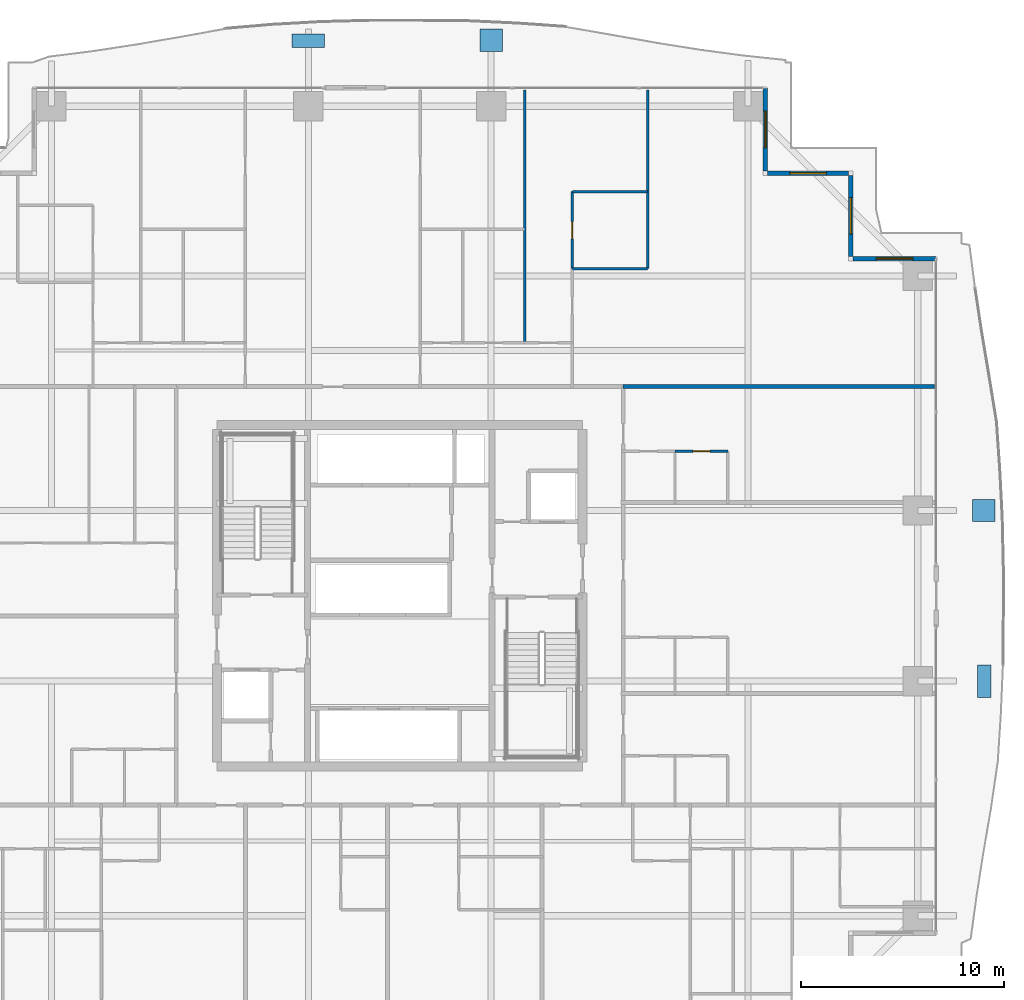
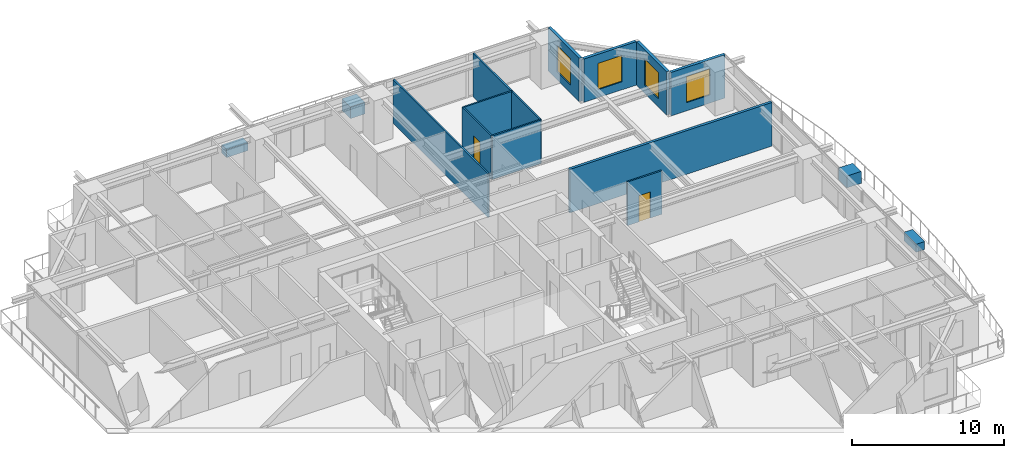
# One storey, part 32 of 38: 11 walls, 4 discrete accessories, 4 windows, 2 doors, 6 openings.
"""IFC4 building model written with IfcOpenShell, lengths in metres."""

from ifc_helpers import new_model, si_unit, direction, frame, frame_2d, origin, origin_2d, place, context, subcontext, project, spatial, rectangle, extrude, source, transform, mapped, material, layer, layer_set, type_object, element, fill, save


model = new_model("IFC4")

# Units and contexts
model_context = context("Model", 3, precision=1e-05, world=origin(), true_north=direction((0.0, 1.0)))
body_context = subcontext(model_context, "Body", "Model", "MODEL_VIEW")
ifc_project = project(units=[si_unit("LENGTHUNIT", "METRE"), si_unit("AREAUNIT", "SQUARE_METRE"), si_unit("VOLUMEUNIT", "CUBIC_METRE"), si_unit("PLANEANGLEUNIT", "RADIAN"), si_unit("MASSUNIT", "GRAM", prefix="KILO")], contexts=[model_context])

# Site, building, storey
site_placement = place(None, origin())
site = spatial("IfcSite", under=ifc_project, at=site_placement, CompositionType="ELEMENT")
building_placement = place(site_placement, origin())
building = spatial("IfcBuilding", under=site, at=building_placement, Name="Serunith Strait Residences", CompositionType="ELEMENT")
storey_placement = place(building_placement, frame((0.0, 0.0, 67.949951171875)))
storey = spatial("IfcBuildingStorey", under=building, at=storey_placement, Name="L16", CompositionType="ELEMENT", Elevation=67.949951171875)

# Wall, opening, window
ifc_material_1 = material(Name="Pale-Champagne Aluminium Insulated Panel", Category="aluminium")
ifc_layer_1 = layer(ifc_material_1, 0.219970703125, Name="Pale-Champagne Aluminium Insulated Panel")
ifc_layer_set_1 = layer_set([ifc_layer_1], Name="Pale-Champagne Aluminium Insulated Panel")
wall_type_1 = type_object("IfcWallType", Name="EW-ALUM-220", PredefinedType="ELEMENTEDWALL", material=ifc_layer_set_1)
wall_1_placement = place(storey_placement, frame((58.800048828125, 41.800048828125, 0.0), z_axis=(0.0, 0.0, 1.0), x_axis=(-1.0, 0.0, 0.0)))
wall_1 = element("IfcWall", 1, at=wall_1_placement, inside=storey, type_object=wall_type_1, Name="L16 Girih Serrated Corner Wall 07", PredefinedType="ELEMENTEDWALL", context=body_context, shape_type="SweptSolid", body=[
    extrude(rectangle(XDim=4.090087890625, YDim=0.219970703125, at=frame_2d((2.044921875, 0.0))), origin(), (0.0, 0.0, 1.0), 3.47509765625),
])
opening_1_placement = place(wall_1_placement, frame((1.14501953125, 0.0, 0.64990234375)))
opening_1 = element("IfcOpeningElement", 2, at=opening_1_placement, cuts=wall_1, Name="Opening W-01", PredefinedType="OPENING", context=body_context, shape_type="SweptSolid", body=[
    extrude(rectangle(XDim=1.800048828125, YDim=2.10009765625, at=frame_2d((0.89990234375, 1.050048828125))), frame((0.0, 0.1201171875, 0.0), z_axis=(0.0, -1.0, 0.0), x_axis=(1.0, 0.0, 0.0)), (0.0, 0.0, 1.0), 0.239990234375),
])
ifc_material_2 = material(Name="Ceramic-Fritted Operable Aluminium Window Glass", Category="aluminium")
window_type = type_object("IfcWindowType", Name="WIN-C1", PartitioningType="DOUBLE_PANEL_VERTICAL", PredefinedType="WINDOW", material=ifc_material_2)
shared_shape_1 = source(origin(), body_context, "Body", "SweptSolid", [
    extrude(rectangle(XDim=1.800048828125, YDim=2.10009765625, at=frame_2d((0.89990234375, 1.050048828125))), frame((0.0, 0.030029296875, 0.0), z_axis=(0.0, -1.0, 0.0), x_axis=(1.0, 0.0, 0.0)), (0.0, 0.0, 1.0), 0.06005859375),
])
window_1_placement = place(opening_1_placement, origin())
window_1 = element("IfcWindow", 3, at=window_1_placement, inside=storey, type_object=window_type, Name="L16 Corner Operable Fritted Window 07", OverallHeight=2.10009765625, OverallWidth=1.800048828125, PartitioningType="SINGLE_PANEL", PredefinedType="WINDOW", context=body_context, shape_type="MappedRepresentation", body=[
    mapped(shared_shape_1, transform((0.0, 0.0, 0.0), scale=1.0)),
])
fill(opening_1, window_1)

wall_2_placement = place(storey_placement, frame((54.60009765625, 41.909912109375, 0.0), z_axis=(0.0, 0.0, 1.0), x_axis=(0.0, 1.0, 0.0)))
wall_2 = element("IfcWall", 4, at=wall_2_placement, inside=storey, type_object=wall_type_1, Name="L16 Girih Serrated Corner Wall 08", PredefinedType="ELEMENTEDWALL", context=body_context, shape_type="SweptSolid", body=[
    extrude(rectangle(XDim=3.97998046875, YDim=0.219970703125, at=frame_2d((1.989990234375, 0.0))), origin(), (0.0, 0.0, 1.0), 3.47509765625),
])
opening_2_placement = place(wall_2_placement, frame((1.090087890625, 0.0, 0.64990234375)))
opening_2 = element("IfcOpeningElement", 5, at=opening_2_placement, cuts=wall_2, Name="Opening W-01", PredefinedType="OPENING", context=body_context, shape_type="SweptSolid", body=[
    extrude(rectangle(XDim=1.800048828125, YDim=2.10009765625, at=frame_2d((0.89990234375, 1.050048828125))), frame((0.0, 0.1201171875, 0.0), z_axis=(0.0, -1.0, 0.0), x_axis=(1.0, 0.0, 0.0)), (0.0, 0.0, 1.0), 0.239990234375),
])
window_2_placement = place(opening_2_placement, origin())
window_2 = element("IfcWindow", 6, at=window_2_placement, inside=storey, type_object=window_type, Name="L16 Corner Operable Fritted Window 08", OverallHeight=2.10009765625, OverallWidth=1.800048828125, PartitioningType="SINGLE_PANEL", PredefinedType="WINDOW", context=body_context, shape_type="MappedRepresentation", body=[
    mapped(shared_shape_1, transform((0.0, 0.0, 0.0), scale=1.0)),
])
fill(opening_2, window_2)

wall_3_placement = place(storey_placement, frame((54.489990234375, 46.0, 0.0), z_axis=(0.0, 0.0, 1.0), x_axis=(-1.0, 0.0, 0.0)))
wall_3 = element("IfcWall", 7, at=wall_3_placement, inside=storey, type_object=wall_type_1, Name="L16 Girih Serrated Corner Wall 09", PredefinedType="ELEMENTEDWALL", context=body_context, shape_type="SweptSolid", body=[
    extrude(rectangle(XDim=3.97998046875, YDim=0.219970703125, at=frame_2d((1.989990234375, 0.0))), origin(), (0.0, 0.0, 1.0), 3.47509765625),
])
opening_3_placement = place(wall_3_placement, frame((1.090087890625, 0.0, 0.64990234375)))
opening_3 = element("IfcOpeningElement", 8, at=opening_3_placement, cuts=wall_3, Name="Opening W-01", PredefinedType="OPENING", context=body_context, shape_type="SweptSolid", body=[
    extrude(rectangle(XDim=1.800048828125, YDim=2.10009765625, at=frame_2d((0.89990234375, 1.050048828125))), frame((0.0, 0.1201171875, 0.0), z_axis=(0.0, -1.0, 0.0), x_axis=(1.0, 0.0, 0.0)), (0.0, 0.0, 1.0), 0.239990234375),
])
window_3_placement = place(opening_3_placement, origin())
window_3 = element("IfcWindow", 9, at=window_3_placement, inside=storey, type_object=window_type, Name="L16 Corner Operable Fritted Window 09", OverallHeight=2.10009765625, OverallWidth=1.800048828125, PartitioningType="SINGLE_PANEL", PredefinedType="WINDOW", context=body_context, shape_type="MappedRepresentation", body=[
    mapped(shared_shape_1, transform((0.0, 0.0, 0.0), scale=1.0)),
])
fill(opening_3, window_3)

wall_4_placement = place(storey_placement, frame((50.39990234375, 46.110107421875, 0.0), z_axis=(0.0, 0.0, 1.0), x_axis=(0.0, 1.0, 0.0)))
wall_4 = element("IfcWall", 10, at=wall_4_placement, inside=storey, type_object=wall_type_1, Name="L16 Girih Serrated Corner Wall 10", PredefinedType="ELEMENTEDWALL", context=body_context, shape_type="SweptSolid", body=[
    extrude(rectangle(XDim=4.08984375, YDim=0.219970703125, at=frame_2d((2.044921875, 0.0))), origin(), (0.0, 0.0, 1.0), 3.47509765625),
])
opening_4_placement = place(wall_4_placement, frame((1.14501953125, 0.0, 0.64990234375)))
opening_4 = element("IfcOpeningElement", 11, at=opening_4_placement, cuts=wall_4, Name="Opening W-01", PredefinedType="OPENING", context=body_context, shape_type="SweptSolid", body=[
    extrude(rectangle(XDim=1.800048828125, YDim=2.10009765625, at=frame_2d((0.89990234375, 1.050048828125))), frame((0.0, 0.1201171875, 0.0), z_axis=(0.0, -1.0, 0.0), x_axis=(1.0, 0.0, 0.0)), (0.0, 0.0, 1.0), 0.239990234375),
])
window_4_placement = place(opening_4_placement, origin())
window_4 = element("IfcWindow", 12, at=window_4_placement, inside=storey, type_object=window_type, Name="L16 Corner Operable Fritted Window 10", OverallHeight=2.10009765625, OverallWidth=1.800048828125, PartitioningType="SINGLE_PANEL", PredefinedType="WINDOW", context=body_context, shape_type="MappedRepresentation", body=[
    mapped(shared_shape_1, transform((0.0, 0.0, 0.0), scale=1.0)),
])
fill(opening_4, window_4)

# Walls
ifc_material_3 = material(Name="Lightweight steel-stud gypsum partition", Category="steel")
ifc_layer_2 = layer(ifc_material_3, 0.1201171875, Name="Lightweight steel-stud gypsum partition")
ifc_layer_set_2 = layer_set([ifc_layer_2], Name="Lightweight steel-stud gypsum partition")
wall_type_2 = type_object("IfcWallType", Name="IW-PART-120", PredefinedType="PARTITIONING", material=ifc_layer_set_2)
wall_5_placement = place(storey_placement, frame((38.550048828125, 50.10498046875, 0.0), z_axis=(0.0, 0.0, 1.0), x_axis=(0.0, -1.0, 0.0)))
element("IfcWall", 13, at=wall_5_placement, inside=storey, type_object=wall_type_2, Name="L16 Partition Wall 085", PredefinedType="PARTITIONING", context=body_context, shape_type="SweptSolid", body=[
    extrude(rectangle(XDim=12.455078125, YDim=0.1201171875, at=frame_2d((6.2275390625, 0.0))), origin(), (0.0, 0.0, 1.0), 3.489990234375),
])
wall_6_placement = place(storey_placement, frame((40.89990234375, 45.091064453125, 0.0), z_axis=(0.0, 0.0, 1.0), x_axis=(1.0, 0.0, 0.0)))
element("IfcWall", 14, at=wall_6_placement, inside=storey, type_object=wall_type_2, Name="L16 Partition Wall 090", PredefinedType="PARTITIONING", context=body_context, shape_type="SweptSolid", body=[
    extrude(rectangle(XDim=3.7001953125, YDim=0.1201171875, at=frame_2d((1.85009765625, 0.0))), origin(), (0.0, 0.0, 1.0), 3.489990234375),
])
wall_7_placement = place(storey_placement, frame((44.60009765625, 50.10498046875, 0.0), z_axis=(0.0, 0.0, 1.0), x_axis=(0.0, -1.0, 0.0)))
element("IfcWall", 15, at=wall_7_placement, inside=storey, type_object=wall_type_2, Name="L16 Partition Wall 091", PredefinedType="PARTITIONING", context=body_context, shape_type="SweptSolid", body=[
    extrude(rectangle(XDim=8.798095703125, YDim=0.1201171875, at=frame_2d((4.39892578125, 0.0))), origin(), (0.0, 0.0, 1.0), 3.489990234375),
])
wall_8_placement = place(storey_placement, frame((40.89990234375, 41.306884765625, 0.0), z_axis=(0.0, 0.0, 1.0), x_axis=(1.0, 0.0, 0.0)))
element("IfcWall", 16, at=wall_8_placement, inside=storey, type_object=wall_type_2, Name="L16 Partition Wall 092", PredefinedType="PARTITIONING", context=body_context, shape_type="SweptSolid", body=[
    extrude(rectangle(XDim=3.7001953125, YDim=0.1201171875, at=frame_2d((1.85009765625, 0.0))), origin(), (0.0, 0.0, 1.0), 3.489990234375),
])

# Wall, opening, door
wall_9_placement = place(storey_placement, frame((40.89990234375, 45.091064453125, 0.0), z_axis=(0.0, 0.0, 1.0), x_axis=(0.0, -1.0, 0.0)))
wall_9 = element("IfcWall", 17, at=wall_9_placement, inside=storey, type_object=wall_type_2, Name="L16 Partition Wall 093", PredefinedType="PARTITIONING", context=body_context, shape_type="SweptSolid", body=[
    extrude(rectangle(XDim=3.7841796875, YDim=0.1201171875, at=frame_2d((1.89208984375, 0.0))), origin(), (0.0, 0.0, 1.0), 3.489990234375),
])
opening_5_placement = place(wall_9_placement, frame((1.467041015625, 0.0, 0.0)))
opening_5 = element("IfcOpeningElement", 18, at=opening_5_placement, cuts=wall_9, Name="Opening D-BTH850", PredefinedType="OPENING", context=body_context, shape_type="SweptSolid", body=[
    extrude(rectangle(XDim=0.85009765625, YDim=2.10009765625, at=frame_2d((0.425048828125, 1.050048828125))), frame((0.0, 0.070068359375, 0.0), z_axis=(0.0, -1.0, 0.0), x_axis=(1.0, 0.0, 0.0)), (0.0, 0.0, 1.0), 0.14013671875),
])
ifc_material_4 = material(Name="Moisture-resistant timber bathroom door", Category="wood")
door_type_1 = type_object("IfcDoorType", Name="ID-BATH-850", OperationType="NOTDEFINED", PredefinedType="DOOR", material=ifc_material_4)
shared_shape_2 = source(origin(), body_context, "Body", "SweptSolid", [
    extrude(rectangle(XDim=0.85009765625, YDim=2.10009765625, at=frame_2d((0.425048828125, 1.050048828125))), frame((0.0, 0.02490234375, 0.0), z_axis=(0.0, -1.0, 0.0), x_axis=(1.0, 0.0, 0.0)), (0.0, 0.0, 1.0), 0.050048828125),
])
door_1_placement = place(opening_5_placement, origin())
door_1 = element("IfcDoor", 19, at=door_1_placement, inside=storey, type_object=door_type_1, Name="L16 En-suite Bathroom E 1605 Door", OperationType="SINGLE_SWING_RIGHT", OverallHeight=2.10009765625, OverallWidth=0.85009765625, PredefinedType="DOOR", context=body_context, shape_type="MappedRepresentation", body=[
    mapped(shared_shape_2, transform((0.0, 0.0, 0.0), scale=1.0)),
])
fill(opening_5, door_1)

wall_10_placement = place(storey_placement, frame((48.550048828125, 32.31005859375, 0.0), z_axis=(0.0, 0.0, 1.0), x_axis=(-1.0, 0.0, 0.0)))
wall_10 = element("IfcWall", 20, at=wall_10_placement, inside=storey, type_object=wall_type_2, Name="L16 Partition Wall 115", PredefinedType="PARTITIONING", context=body_context, shape_type="SweptSolid", body=[
    extrude(rectangle(XDim=2.60009765625, YDim=0.1201171875, at=frame_2d((1.300048828125, 0.0))), origin(), (0.0, 0.0, 1.0), 3.489990234375),
])
opening_6_placement = place(wall_10_placement, frame((0.875, 0.0, 0.0)))
opening_6 = element("IfcOpeningElement", 21, at=opening_6_placement, cuts=wall_10, Name="Opening D-RM850", PredefinedType="OPENING", context=body_context, shape_type="SweptSolid", body=[
    extrude(rectangle(XDim=0.85009765625, YDim=2.10009765625, at=frame_2d((0.425048828125, 1.050048828125))), frame((0.0, 0.070068359375, 0.0), z_axis=(0.0, -1.0, 0.0), x_axis=(1.0, 0.0, 0.0)), (0.0, 0.0, 1.0), 0.14013671875),
])
ifc_material_5 = material(Name="Engineered timber flush study and kitchen door", Category="wood")
door_type_2 = type_object("IfcDoorType", Name="ID-ROOM-850", OperationType="NOTDEFINED", PredefinedType="DOOR", material=ifc_material_5)
door_2_placement = place(opening_6_placement, origin())
door_2 = element("IfcDoor", 22, at=door_2_placement, inside=storey, type_object=door_type_2, Name="L16 Kitchen 1610 Door", OperationType="SINGLE_SWING_RIGHT", OverallHeight=2.10009765625, OverallWidth=0.85009765625, PredefinedType="DOOR", context=body_context, shape_type="MappedRepresentation", body=[
    mapped(shared_shape_2, transform((0.0, 0.0, 0.0), scale=1.0)),
])
fill(opening_6, door_2)

# Wall
ifc_material_6 = material(Name="Twin-stud acoustic gypsum board partition")
ifc_layer_3 = layer(ifc_material_6, 0.199951171875, Name="Twin-stud acoustic gypsum board partition")
ifc_layer_set_3 = layer_set([ifc_layer_3], Name="Twin-stud acoustic gypsum board partition")
wall_type_3 = type_object("IfcWallType", Name="IW-PARTY-200", PredefinedType="PARTITIONING", material=ifc_layer_set_3)
wall_11_placement = place(storey_placement, frame((43.39990234375, 35.5, 0.0), z_axis=(0.0, 0.0, 1.0), x_axis=(1.0, 0.0, 0.0)))
element("IfcWall", 23, at=wall_11_placement, inside=storey, type_object=wall_type_3, Name="L16 Partition Wall 023", PredefinedType="PARTITIONING", context=body_context, shape_type="SweptSolid", body=[
    extrude(rectangle(XDim=15.318115234375, YDim=0.199951171875, at=frame_2d((7.6591796875, 0.0))), origin(), (0.0, 0.0, 1.0), 3.489990234375),
])

# Discrete accessories
ifc_material_7 = material(Name="GFRC Root-Anchored Structural Planter")
discrete_accessory_type_1 = type_object("IfcDiscreteAccessoryType", Name="ACC-PLANTER-TREE", PredefinedType="USERDEFINED", material=ifc_material_7)
shared_shape_3 = source(origin(), body_context, "Body", "SweptSolid", [
    extrude(rectangle(XDim=1.10009765625, YDim=1.10009765625, at=origin_2d()), origin(), (0.0, 0.0, 1.0), 0.949951171875),
])
for number, where, z_axis, x_axis, name in (
    (24, (36.89990234375, 52.544921875, -0.0498046875), (0.0, 0.0, 1.0), (-1.0, 0.0, 0.0), "L16 Vertical-Forest Tree Planter 07"),
    (25, (61.147705078125, 29.39990234375, -0.0498046875), (0.0, 0.0, 1.0), (0.0, 1.0, 0.0), "L16 Vertical-Forest Tree Planter 11"),
):
    element("IfcDiscreteAccessory", number, at=place(storey_placement, frame(where, z_axis=z_axis, x_axis=x_axis)), inside=storey, type_object=discrete_accessory_type_1, Name=name, ObjectType="PLANTER", PredefinedType="USERDEFINED", context=body_context, shape_type="MappedRepresentation", body=[
        mapped(shared_shape_3, transform((0.0, 0.0, 0.0), scale=1.0)),
    ])
ifc_material_8 = material(Name="GFRC Irrigated Shrub Trough Planter")
discrete_accessory_type_2 = type_object("IfcDiscreteAccessoryType", Name="ACC-PLANTER-SHRUB", PredefinedType="USERDEFINED", material=ifc_material_8)
shared_shape_4 = source(origin(), body_context, "Body", "SweptSolid", [
    extrude(rectangle(XDim=1.60009765625, YDim=0.64990234375, at=origin_2d()), origin(), (0.0, 0.0, 1.0), 0.64990234375),
])
for number, where, z_axis, x_axis, name in (
    (26, (27.89990234375, 52.521240234375, -0.0498046875), (0.0, 0.0, 1.0), (-1.0, 0.0, 0.0), "L16 Vertical-Forest Shrub Planter 06"),
    (27, (61.168212890625, 21.0, -0.0498046875), (0.0, 0.0, 1.0), (0.0, 1.0, 0.0), "L16 Vertical-Forest Shrub Planter 10"),
):
    element("IfcDiscreteAccessory", number, at=place(storey_placement, frame(where, z_axis=z_axis, x_axis=x_axis)), inside=storey, type_object=discrete_accessory_type_2, Name=name, ObjectType="PLANTER", PredefinedType="USERDEFINED", context=body_context, shape_type="MappedRepresentation", body=[
        mapped(shared_shape_4, transform((0.0, 0.0, 0.0), scale=1.0)),
    ])

save(model, "model.ifc")
